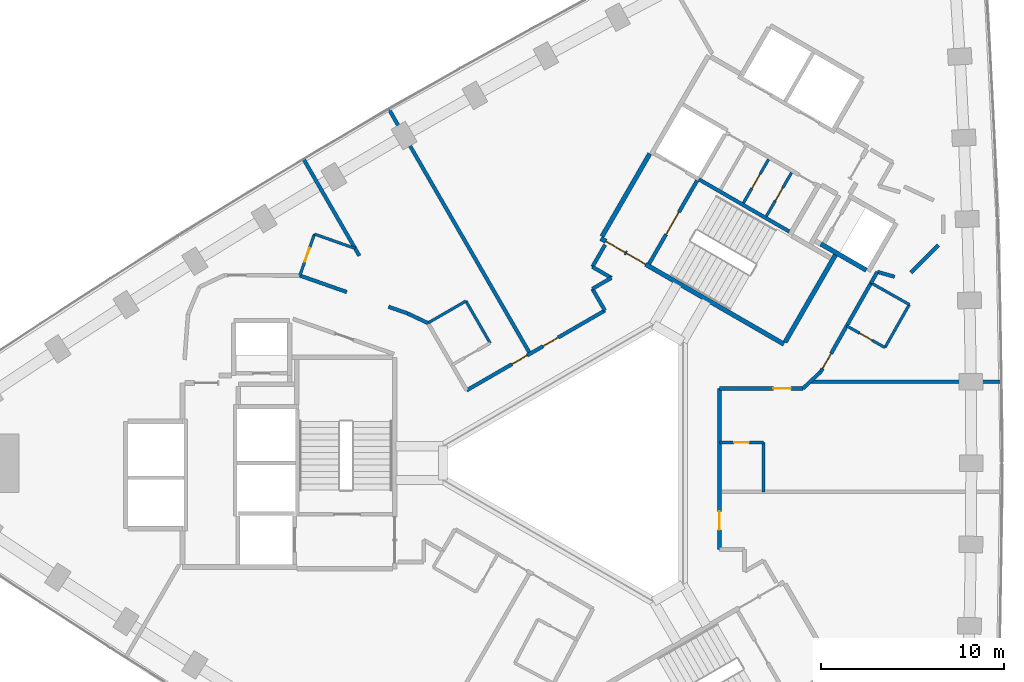
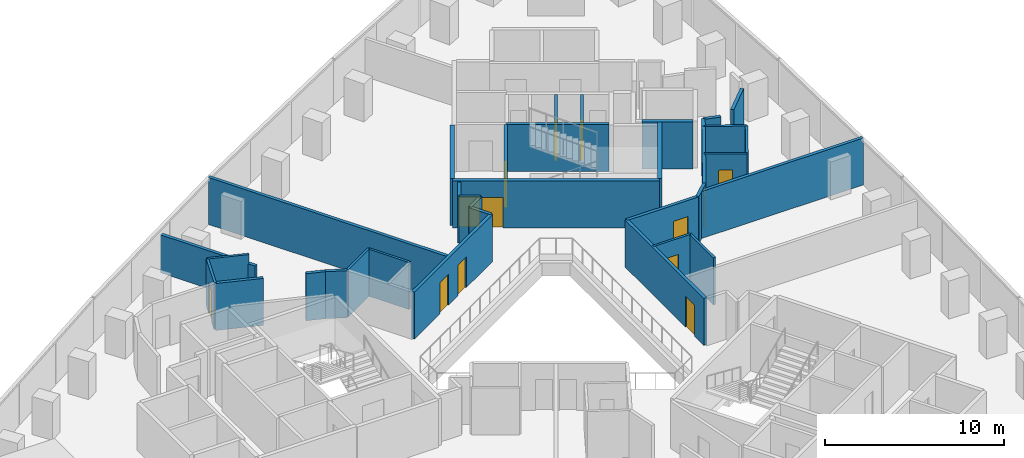
# One storey, part 10 of 12: 35 walls, 13 doors, 13 openings.
"""IFC4 building model written with IfcOpenShell, lengths in metres."""

from ifc_helpers import new_model, si_unit, direction, frame, frame_2d, origin, place, context, subcontext, project, spatial, rectangle, extrude, material, layer, layer_set, type_object, element, fill, save


model = new_model("IFC4")

# Units and contexts
model_context = context("Model", 3, precision=1e-05, world=origin(), true_north=direction((0.0, 1.0)))
body_context = subcontext(model_context, "Body", "Model", "MODEL_VIEW")
ifc_project = project(units=[si_unit("LENGTHUNIT", "METRE"), si_unit("AREAUNIT", "SQUARE_METRE"), si_unit("VOLUMEUNIT", "CUBIC_METRE"), si_unit("PLANEANGLEUNIT", "RADIAN"), si_unit("MASSUNIT", "GRAM", prefix="KILO")], contexts=[model_context])

# Site, building, storey
site_placement = place(None, origin())
site = spatial("IfcSite", under=ifc_project, at=site_placement, CompositionType="ELEMENT")
building_placement = place(site_placement, origin())
building = spatial("IfcBuilding", under=site, at=building_placement, Name="Tamra Quay Hotel Tower", CompositionType="ELEMENT")
storey_placement = place(building_placement, frame((0.0, 0.0, 115.39990234375)))
storey = spatial("IfcBuildingStorey", under=building, at=storey_placement, Name="L28", CompositionType="ELEMENT", Elevation=115.39990234375)

# Wall
ifc_material_1 = material(Name="Concrete M70", Category="concrete")
ifc_layer_1 = layer(ifc_material_1, 0.199951171875)
ifc_layer_set_1 = layer_set([ifc_layer_1], Name="Concrete M70 core wall 200")
wall_type_1 = type_object("IfcWallType", Name="Concrete M70 core wall 200", PredefinedType="SHEAR", material=ifc_layer_set_1)
wall_1_placement = place(storey_placement, frame((5.774658203125, 15.501953125, 0.0), z_axis=(0.0, 0.0, 1.0), x_axis=(0.866020080793, -0.500009219579, 0.0)))
element("IfcWall", 1, at=wall_1_placement, inside=storey, type_object=wall_type_1, Name="CW2", PredefinedType="SHEAR", context=body_context, shape_type="SweptSolid", body=[
    extrude(rectangle(XDim=5.69921875, YDim=0.199951171875, at=frame_2d((2.849609375, 0.0))), origin(), (0.0, 0.0, 1.0), 3.2001953125),
])

# Wall, opening, door
wall_2_placement = place(storey_placement, frame((3.056640625, 10.89453125, 0.0), z_axis=(0.0, 0.0, 1.0), x_axis=(0.499989418164, 0.866031513124, 0.0)))
wall_2 = element("IfcWall", 2, at=wall_2_placement, inside=storey, type_object=wall_type_1, Name="CW2", PredefinedType="SHEAR", context=body_context, shape_type="SweptSolid", body=[
    extrude(rectangle(XDim=5.2509765625, YDim=0.199951171875, at=frame_2d((2.62548828125, 0.0))), origin(), (0.0, 0.0, 1.0), 3.2001953125),
])
opening_1_placement = place(wall_2_placement, frame((1.84912109375, 0.0, 0.0)))
opening_1 = element("IfcOpeningElement", 3, at=opening_1_placement, cuts=wall_2, Name="Opening FD2", PredefinedType="OPENING", context=body_context, shape_type="SweptSolid", body=[
    extrude(rectangle(XDim=1.39990234375, YDim=2.10009765625, at=frame_2d((0.699951171875, 1.050048828125))), frame((0.0, 0.10986328125, 0.0), z_axis=(0.0, -1.0, 0.0), x_axis=(1.0, 0.0, 0.0)), (0.0, 0.0, 1.0), 0.219970703125),
])
ifc_material_2 = material(Name="Core door FD2 1400x2100 LH")
door_type_1 = type_object("IfcDoorType", Name="Core door FD2 1400x2100 LH", OperationType="NOTDEFINED", PredefinedType="DOOR", material=ifc_material_2)
door_1_placement = place(opening_1_placement, origin())
door_1 = element("IfcDoor", 4, at=door_1_placement, inside=storey, type_object=door_type_1, Name="FD2", OperationType="SINGLE_SWING_LEFT", OverallHeight=2.10009765625, OverallWidth=1.39990234375, PredefinedType="DOOR", context=body_context, shape_type="SweptSolid", body=[
    extrude(rectangle(XDim=1.39990234375, YDim=2.10009765625, at=frame_2d((0.699951171875, 1.050048828125))), frame((0.0, 0.02490234375, 0.0), z_axis=(0.0, -1.0, 0.0), x_axis=(1.0, 0.0, 0.0)), (0.0, 0.0, 1.0), 0.050048828125),
])
fill(opening_1, door_1)

# Wall, openings, doors
ifc_layer_2 = layer(ifc_material_1, 0.25)
ifc_layer_set_2 = layer_set([ifc_layer_2], Name="Concrete M70 core wall 250")
wall_type_2 = type_object("IfcWallType", Name="Concrete M70 core wall 250", PredefinedType="SHEAR", material=ifc_layer_set_2)
wall_3_placement = place(storey_placement, frame((10.419921875, 6.497802734375, 0.0), z_axis=(0.0, 0.0, 1.0), x_axis=(-0.866021906294, 0.500006057782, 0.0)))
wall_3 = element("IfcWall", 5, at=wall_3_placement, inside=storey, type_object=wall_type_2, Name="CW1", PredefinedType="SHEAR", context=body_context, shape_type="SweptSolid", body=[
    extrude(rectangle(XDim=11.550048828125, YDim=0.25, at=frame_2d((5.77490234375, 0.0))), origin(), (0.0, 0.0, 1.0), 3.2001953125),
])
opening_2_placement = place(wall_3_placement, frame((10.02490234375, 0.0, 0.0)))
opening_2 = element("IfcOpeningElement", 6, at=opening_2_placement, cuts=wall_3, Name="Opening FD1", PredefinedType="OPENING", context=body_context, shape_type="SweptSolid", body=[
    extrude(rectangle(XDim=1.199951171875, YDim=2.10009765625, at=frame_2d((0.60009765625, 1.050048828125))), frame((0.0, 0.135009765625, 0.0), z_axis=(0.0, -1.0, 0.0), x_axis=(1.0, 0.0, 0.0)), (0.0, 0.0, 1.0), 0.27001953125),
])
opening_3_placement = place(wall_3_placement, frame((8.724853515625, 0.0, 0.0)))
opening_3 = element("IfcOpeningElement", 7, at=opening_3_placement, cuts=wall_3, Name="Opening FD1", PredefinedType="OPENING", context=body_context, shape_type="SweptSolid", body=[
    extrude(rectangle(XDim=1.199951171875, YDim=2.10009765625, at=frame_2d((0.60009765625, 1.050048828125))), frame((0.0, 0.135009765625, 0.0), z_axis=(0.0, -1.0, 0.0), x_axis=(1.0, 0.0, 0.0)), (0.0, 0.0, 1.0), 0.27001953125),
])
ifc_material_3 = material(Name="Core door FD1 1200x2100 LH")
door_type_2 = type_object("IfcDoorType", Name="Core door FD1 1200x2100 LH", OperationType="NOTDEFINED", PredefinedType="DOOR", material=ifc_material_3)
door_2_placement = place(opening_2_placement, origin())
door_2 = element("IfcDoor", 8, at=door_2_placement, inside=storey, type_object=door_type_2, Name="FD1", OperationType="SINGLE_SWING_LEFT", OverallHeight=2.10009765625, OverallWidth=1.199951171875, PredefinedType="DOOR", context=body_context, shape_type="SweptSolid", body=[
    extrude(rectangle(XDim=1.199951171875, YDim=2.10009765625, at=frame_2d((0.60009765625, 1.050048828125))), frame((0.0, 0.02490234375, 0.0), z_axis=(0.0, -1.0, 0.0), x_axis=(1.0, 0.0, 0.0)), (0.0, 0.0, 1.0), 0.050048828125),
])
fill(opening_2, door_2)
ifc_material_4 = material(Name="Core door FD1 1200x2100 RH")
door_type_3 = type_object("IfcDoorType", Name="Core door FD1 1200x2100 RH", OperationType="NOTDEFINED", PredefinedType="DOOR", material=ifc_material_4)
door_3_placement = place(opening_3_placement, origin())
door_3 = element("IfcDoor", 9, at=door_3_placement, inside=storey, type_object=door_type_3, Name="FD1", OperationType="SINGLE_SWING_RIGHT", OverallHeight=2.10009765625, OverallWidth=1.199951171875, PredefinedType="DOOR", context=body_context, shape_type="SweptSolid", body=[
    extrude(rectangle(XDim=1.199951171875, YDim=2.10009765625, at=frame_2d((0.60009765625, 1.050048828125))), frame((0.0, 0.02490234375, 0.0), z_axis=(0.0, -1.0, 0.0), x_axis=(1.0, 0.0, 0.0)), (0.0, 0.0, 1.0), 0.050048828125),
])
fill(opening_3, door_3)

# Walls
wall_4_placement = place(storey_placement, frame((0.47998046875, 12.38134765625, 0.0), z_axis=(0.0, 0.0, 1.0), x_axis=(0.49999885962, 0.866026062182, 0.0)))
element("IfcWall", 10, at=wall_4_placement, inside=storey, type_object=wall_type_2, Name="CW1", PredefinedType="SHEAR", context=body_context, shape_type="SweptSolid", body=[
    extrude(rectangle(XDim=5.224609375, YDim=0.25, at=frame_2d((2.6123046875, 0.0))), origin(), (0.0, 0.0, 1.0), 3.2001953125),
])
wall_5_placement = place(storey_placement, frame((13.237548828125, 11.3779296875, 0.0), z_axis=(0.0, 0.0, 1.0), x_axis=(-0.500008851346, -0.866020293397, 0.0)))
element("IfcWall", 11, at=wall_5_placement, inside=storey, type_object=wall_type_2, Name="CW1", PredefinedType="SHEAR", context=body_context, shape_type="SweptSolid", body=[
    extrude(rectangle(XDim=5.509765625, YDim=0.25, at=frame_2d((2.7548828125, 0.0))), origin(), (0.0, 0.0, 1.0), 3.2001953125),
])
wall_6_placement = place(storey_placement, frame((14.91845703125, 10.540283203125, 0.0), z_axis=(0.0, 0.0, 1.0), x_axis=(-0.866063538972, 0.499933942099, 0.0)))
element("IfcWall", 12, at=wall_6_placement, inside=storey, type_object=wall_type_2, Name="CW1", PredefinedType="SHEAR", context=body_context, shape_type="SweptSolid", body=[
    extrude(rectangle(XDim=2.86474609375, YDim=0.25, at=frame_2d((1.432373046875, 0.0))), origin(), (0.0, 0.0, 1.0), 3.2001953125),
])

# Wall, opening, door
ifc_material_5 = material(Name="Blockwork", Category="masonry")
ifc_layer_3 = layer(ifc_material_5, 0.14990234375)
ifc_layer_set_3 = layer_set([ifc_layer_3], Name="Core partition block 150")
wall_type_3 = type_object("IfcWallType", Name="Core partition block 150", PredefinedType="PARTITIONING", material=ifc_layer_set_3)
wall_7_placement = place(storey_placement, frame((9.462158203125, 13.4892578125, 0.0), z_axis=(0.0, 0.0, 1.0), x_axis=(0.50002746344, 0.86600954718, 0.0)))
wall_7 = element("IfcWall", 13, at=wall_7_placement, inside=storey, type_object=wall_type_3, Name="CP1", PredefinedType="PARTITIONING", context=body_context, shape_type="SweptSolid", body=[
    extrude(rectangle(XDim=2.748291015625, YDim=0.14990234375, at=frame_2d((1.3740234375, 0.0))), origin(), (0.0, 0.0, 1.0), 3.2001953125),
])
opening_4_placement = place(wall_7_placement, frame((0.97412109375, 0.0, 0.0)))
opening_4 = element("IfcOpeningElement", 14, at=opening_4_placement, cuts=wall_7, Name="Opening D3", PredefinedType="OPENING", context=body_context, shape_type="SweptSolid", body=[
    extrude(rectangle(XDim=0.800048828125, YDim=2.10009765625, at=frame_2d((0.39990234375, 1.050048828125))), frame((0.0, 0.0849609375, 0.0), z_axis=(0.0, -1.0, 0.0), x_axis=(1.0, 0.0, 0.0)), (0.0, 0.0, 1.0), 0.169921875),
])
ifc_material_6 = material(Name="Core door D3 800x2100 LH")
door_type_4 = type_object("IfcDoorType", Name="Core door D3 800x2100 LH", OperationType="NOTDEFINED", PredefinedType="DOOR", material=ifc_material_6)
door_4_placement = place(opening_4_placement, origin())
door_4 = element("IfcDoor", 15, at=door_4_placement, inside=storey, type_object=door_type_4, Name="D3", OperationType="SINGLE_SWING_LEFT", OverallHeight=2.10009765625, OverallWidth=0.800048828125, PredefinedType="DOOR", context=body_context, shape_type="SweptSolid", body=[
    extrude(rectangle(XDim=0.800048828125, YDim=2.10009765625, at=frame_2d((0.39990234375, 1.050048828125))), frame((0.0, 0.02490234375, 0.0), z_axis=(0.0, -1.0, 0.0), x_axis=(1.0, 0.0, 0.0)), (0.0, 0.0, 1.0), 0.050048828125),
])
fill(opening_4, door_4)

wall_8_placement = place(storey_placement, frame((8.20654296875, 14.214111328125, 0.0), z_axis=(0.0, 0.0, 1.0), x_axis=(0.499922376475, 0.866070215109, 0.0)))
wall_8 = element("IfcWall", 16, at=wall_8_placement, inside=storey, type_object=wall_type_3, Name="CP1", PredefinedType="PARTITIONING", context=body_context, shape_type="SweptSolid", body=[
    extrude(rectangle(XDim=2.74853515625, YDim=0.14990234375, at=frame_2d((1.374267578125, 0.0))), origin(), (0.0, 0.0, 1.0), 3.2001953125),
])
opening_5_placement = place(wall_8_placement, frame((0.92431640625, 0.0, 0.0)))
opening_5 = element("IfcOpeningElement", 17, at=opening_5_placement, cuts=wall_8, Name="Opening D2", PredefinedType="OPENING", context=body_context, shape_type="SweptSolid", body=[
    extrude(rectangle(XDim=0.89990234375, YDim=2.10009765625, at=frame_2d((0.449951171875, 1.050048828125))), frame((0.0, 0.0849609375, 0.0), z_axis=(0.0, -1.0, 0.0), x_axis=(1.0, 0.0, 0.0)), (0.0, 0.0, 1.0), 0.169921875),
])
ifc_material_7 = material(Name="Core door D2 900x2100 RH")
door_type_5 = type_object("IfcDoorType", Name="Core door D2 900x2100 RH", OperationType="NOTDEFINED", PredefinedType="DOOR", material=ifc_material_7)
door_5_placement = place(opening_5_placement, origin())
door_5 = element("IfcDoor", 18, at=door_5_placement, inside=storey, type_object=door_type_5, Name="D2", OperationType="SINGLE_SWING_RIGHT", OverallHeight=2.10009765625, OverallWidth=0.89990234375, PredefinedType="DOOR", context=body_context, shape_type="SweptSolid", body=[
    extrude(rectangle(XDim=0.89990234375, YDim=2.10009765625, at=frame_2d((0.449951171875, 1.050048828125))), frame((0.0, 0.02490234375, 0.0), z_axis=(0.0, -1.0, 0.0), x_axis=(1.0, 0.0, 0.0)), (0.0, 0.0, 1.0), 0.050048828125),
])
fill(opening_5, door_5)

# Walls
ifc_material_8 = material(Name="Partition corridor wall")
ifc_layer_4 = layer(ifc_material_8, 0.199951171875)
ifc_layer_set_4 = layer_set([ifc_layer_4], Name="Partition corridor wall")
wall_type_4 = type_object("IfcWallType", Name="Partition corridor wall", PredefinedType="PARTITIONING", material=ifc_layer_set_4)
wall_9_placement = place(storey_placement, frame((-16.02587890625, 10.24755859375, 0.0), z_axis=(0.0, 0.0, 1.0), x_axis=(0.943265923184, -0.332038248039, 0.0)))
element("IfcWall", 19, at=wall_9_placement, inside=storey, type_object=wall_type_4, Name="W-C", PredefinedType="PARTITIONING", context=body_context, shape_type="SweptSolid", body=[
    extrude(rectangle(XDim=2.711669921875, YDim=0.199951171875, at=frame_2d((1.35595703125, 0.0))), origin(), (0.0, 0.0, 1.0), 3.2001953125),
])
wall_10_placement = place(storey_placement, frame((-11.179931640625, 8.5419921875, 0.0), z_axis=(0.0, 0.0, 1.0), x_axis=(0.943264734704, -0.332041624295, 0.0)))
element("IfcWall", 20, at=wall_10_placement, inside=storey, type_object=wall_type_4, Name="W-C", PredefinedType="PARTITIONING", context=body_context, shape_type="SweptSolid", body=[
    extrude(rectangle(XDim=1.09912109375, YDim=0.199951171875, at=frame_2d((0.549560546875, 0.0))), origin(), (0.0, 0.0, 1.0), 3.2001953125),
])
wall_11_placement = place(storey_placement, frame((-10.14306640625, 8.177001953125, 0.0), z_axis=(0.0, 0.0, 1.0), x_axis=(0.904033154172, -0.427462344726, 0.0)))
element("IfcWall", 21, at=wall_11_placement, inside=storey, type_object=wall_type_4, Name="W-C", PredefinedType="PARTITIONING", context=body_context, shape_type="SweptSolid", body=[
    extrude(rectangle(XDim=1.22802734375, YDim=0.199951171875, at=frame_2d((0.614013671875, 0.0))), origin(), (0.0, 0.0, 1.0), 3.2001953125),
])

# Wall, openings, doors
wall_12_placement = place(storey_placement, frame((-6.91064453125, 3.976318359375, 0.0), z_axis=(0.0, 0.0, 1.0), x_axis=(0.865981774652, 0.500075560261, 0.0)))
wall_12 = element("IfcWall", 22, at=wall_12_placement, inside=storey, type_object=wall_type_4, Name="W-C", PredefinedType="PARTITIONING", context=body_context, shape_type="SweptSolid", body=[
    extrude(rectangle(XDim=8.718017578125, YDim=0.199951171875, at=frame_2d((4.35888671875, 0.0))), origin(), (0.0, 0.0, 1.0), 3.2001953125),
])
opening_6_placement = place(wall_12_placement, frame((4.818115234375, 0.0, 0.0)))
opening_6 = element("IfcOpeningElement", 23, at=opening_6_placement, cuts=wall_12, Name="Opening L28-D006", PredefinedType="OPENING", context=body_context, shape_type="SweptSolid", body=[
    extrude(rectangle(XDim=0.949951171875, YDim=2.10009765625, at=frame_2d((0.47509765625, 1.050048828125))), frame((0.0, 0.10986328125, 0.0), z_axis=(0.0, -1.0, 0.0), x_axis=(1.0, 0.0, 0.0)), (0.0, 0.0, 1.0), 0.219970703125),
])
opening_7_placement = place(wall_12_placement, frame((2.85888671875, 0.0, 0.0)))
opening_7 = element("IfcOpeningElement", 24, at=opening_7_placement, cuts=wall_12, Name="Opening L28-D007", PredefinedType="OPENING", context=body_context, shape_type="SweptSolid", body=[
    extrude(rectangle(XDim=0.949951171875, YDim=2.10009765625, at=frame_2d((0.47509765625, 1.050048828125))), frame((0.0, 0.10986328125, 0.0), z_axis=(0.0, -1.0, 0.0), x_axis=(1.0, 0.0, 0.0)), (0.0, 0.0, 1.0), 0.219970703125),
])
ifc_material_9 = material(Name="Door guest room 950x2100")
door_type_6 = type_object("IfcDoorType", Name="Door guest room 950x2100", OperationType="NOTDEFINED", PredefinedType="DOOR", material=ifc_material_9)
door_6_placement = place(opening_6_placement, origin())
door_6 = element("IfcDoor", 25, at=door_6_placement, inside=storey, type_object=door_type_6, Name="L28-D006", OperationType="SINGLE_SWING_LEFT", OverallHeight=2.10009765625, OverallWidth=0.949951171875, PredefinedType="DOOR", context=body_context, shape_type="SweptSolid", body=[
    extrude(rectangle(XDim=0.949951171875, YDim=2.10009765625, at=frame_2d((0.47509765625, 1.050048828125))), frame((0.0, 0.02490234375, 0.0), z_axis=(0.0, -1.0, 0.0), x_axis=(1.0, 0.0, 0.0)), (0.0, 0.0, 1.0), 0.050048828125),
])
fill(opening_6, door_6)
door_7_placement = place(opening_7_placement, origin())
door_7 = element("IfcDoor", 26, at=door_7_placement, inside=storey, type_object=door_type_6, Name="L28-D007", OperationType="SINGLE_SWING_LEFT", OverallHeight=2.10009765625, OverallWidth=0.949951171875, PredefinedType="DOOR", context=body_context, shape_type="SweptSolid", body=[
    extrude(rectangle(XDim=0.949951171875, YDim=2.10009765625, at=frame_2d((0.47509765625, 1.050048828125))), frame((0.0, 0.02490234375, 0.0), z_axis=(0.0, -1.0, 0.0), x_axis=(1.0, 0.0, 0.0)), (0.0, 0.0, 1.0), 0.050048828125),
])
fill(opening_7, door_7)

# Walls
wall_13_placement = place(storey_placement, frame((-0.044921875, 9.52099609375, 0.0), z_axis=(0.0, 0.0, 1.0), x_axis=(0.499804837697, -0.866138051476, 0.0)))
element("IfcWall", 27, at=wall_13_placement, inside=storey, type_object=wall_type_4, Name="W-C", PredefinedType="PARTITIONING", context=body_context, shape_type="SweptSolid", body=[
    extrude(rectangle(XDim=1.3681640625, YDim=0.199951171875, at=frame_2d((0.68408203125, 0.0))), origin(), (0.0, 0.0, 1.0), 3.2001953125),
])
wall_14_placement = place(storey_placement, frame((-0.044921875, 9.52197265625, 0.0), z_axis=(0.0, 0.0, 1.0), x_axis=(0.86625675314, 0.499599076899, 0.0)))
element("IfcWall", 28, at=wall_14_placement, inside=storey, type_object=wall_type_4, Name="W-C", PredefinedType="PARTITIONING", context=body_context, shape_type="SweptSolid", body=[
    extrude(rectangle(XDim=1.19921875, YDim=0.199951171875, at=frame_2d((0.599609375, 0.0))), origin(), (0.0, 0.0, 1.0), 3.2001953125),
])
wall_15_placement = place(storey_placement, frame((-0.044921875, 10.721923828125, 0.0), z_axis=(0.0, 0.0, 1.0), x_axis=(0.500107785535, 0.865963164833, 0.0)))
element("IfcWall", 29, at=wall_15_placement, inside=storey, type_object=wall_type_4, Name="W-C", PredefinedType="PARTITIONING", context=body_context, shape_type="SweptSolid", body=[
    extrude(rectangle(XDim=1.389404296875, YDim=0.199951171875, at=frame_2d((0.69482421875, 0.0))), origin(), (0.0, 0.0, 1.0), 3.2001953125),
])
wall_16_placement = place(storey_placement, frame((-0.044921875, 10.720947265625, 0.0), z_axis=(0.0, 0.0, 1.0), x_axis=(0.865992388649, -0.500057179532, 0.0)))
element("IfcWall", 30, at=wall_16_placement, inside=storey, type_object=wall_type_4, Name="W-C", PredefinedType="PARTITIONING", context=body_context, shape_type="SweptSolid", body=[
    extrude(rectangle(XDim=1.199462890625, YDim=0.199951171875, at=frame_2d((0.599609375, 0.0))), origin(), (0.0, 0.0, 1.0), 3.2001953125),
])

# Wall, opening, door
wall_17_placement = place(storey_placement, frame((6.89990234375, -4.720947265625, 0.0), z_axis=(0.0, 0.0, 1.0), x_axis=(0.0, 1.0, 0.0)))
wall_17 = element("IfcWall", 31, at=wall_17_placement, inside=storey, type_object=wall_type_4, Name="W-C", PredefinedType="PARTITIONING", context=body_context, shape_type="SweptSolid", body=[
    extrude(rectangle(XDim=8.798828125, YDim=0.199951171875, at=frame_2d((4.3994140625, 0.0))), origin(), (0.0, 0.0, 1.0), 3.2001953125),
])
opening_8_placement = place(wall_17_placement, frame((1.080078125, 0.0, 0.0)))
opening_8 = element("IfcOpeningElement", 32, at=opening_8_placement, cuts=wall_17, Name="Opening L28-D001", PredefinedType="OPENING", context=body_context, shape_type="SweptSolid", body=[
    extrude(rectangle(XDim=1.0, YDim=2.10009765625, at=frame_2d((0.5, 1.050048828125))), frame((0.0, 0.10986328125, 0.0), z_axis=(0.0, -1.0, 0.0), x_axis=(1.0, 0.0, 0.0)), (0.0, 0.0, 1.0), 0.219970703125),
])
ifc_material_10 = material(Name="Door guest room 1000x2100")
door_type_7 = type_object("IfcDoorType", Name="Door guest room 1000x2100", OperationType="NOTDEFINED", PredefinedType="DOOR", material=ifc_material_10)
door_8_placement = place(opening_8_placement, frame((1.0, 0.0, 0.0), z_axis=(0.0, 0.0, 1.0), x_axis=(-1.0, 0.0, 0.0)))
door_8 = element("IfcDoor", 33, at=door_8_placement, inside=storey, type_object=door_type_7, Name="L28-D001", OperationType="SINGLE_SWING_LEFT", OverallHeight=2.10009765625, OverallWidth=1.0, PredefinedType="DOOR", context=body_context, shape_type="SweptSolid", body=[
    extrude(rectangle(XDim=1.0, YDim=2.10009765625, at=frame_2d((0.5, 1.050048828125))), frame((0.0, 0.02490234375, 0.0), z_axis=(0.0, -1.0, 0.0), x_axis=(1.0, 0.0, 0.0)), (0.0, 0.0, 1.0), 0.050048828125),
])
fill(opening_8, door_8)

wall_18_placement = place(storey_placement, frame((6.89990234375, 4.077880859375, 0.0), z_axis=(0.0, 0.0, 1.0), x_axis=(1.0, 0.0, 0.0)))
wall_18 = element("IfcWall", 34, at=wall_18_placement, inside=storey, type_object=wall_type_4, Name="W-C", PredefinedType="PARTITIONING", context=body_context, shape_type="SweptSolid", body=[
    extrude(rectangle(XDim=4.55810546875, YDim=0.199951171875, at=frame_2d((2.279052734375, 0.0))), origin(), (0.0, 0.0, 1.0), 3.2001953125),
])
opening_9_placement = place(wall_18_placement, frame((2.949951171875, 0.0, 0.0)))
opening_9 = element("IfcOpeningElement", 35, at=opening_9_placement, cuts=wall_18, Name="Opening L28-D002", PredefinedType="OPENING", context=body_context, shape_type="SweptSolid", body=[
    extrude(rectangle(XDim=0.949951171875, YDim=2.10009765625, at=frame_2d((0.47509765625, 1.050048828125))), frame((0.0, 0.10986328125, 0.0), z_axis=(0.0, -1.0, 0.0), x_axis=(1.0, 0.0, 0.0)), (0.0, 0.0, 1.0), 0.219970703125),
])
door_9_placement = place(opening_9_placement, frame((0.949951171875, 0.0, 0.0), z_axis=(0.0, 0.0, 1.0), x_axis=(-1.0, 0.0, 0.0)))
door_9 = element("IfcDoor", 36, at=door_9_placement, inside=storey, type_object=door_type_6, Name="L28-D002", OperationType="SINGLE_SWING_LEFT", OverallHeight=2.10009765625, OverallWidth=0.949951171875, PredefinedType="DOOR", context=body_context, shape_type="SweptSolid", body=[
    extrude(rectangle(XDim=0.949951171875, YDim=2.10009765625, at=frame_2d((0.47509765625, 1.050048828125))), frame((0.0, 0.02490234375, 0.0), z_axis=(0.0, -1.0, 0.0), x_axis=(1.0, 0.0, 0.0)), (0.0, 0.0, 1.0), 0.050048828125),
])
fill(opening_9, door_9)

# Wall
wall_19_placement = place(storey_placement, frame((11.4580078125, 4.077880859375, 0.0), z_axis=(0.0, 0.0, 1.0), x_axis=(0.73011257202, 0.683326885303, 0.0)))
element("IfcWall", 37, at=wall_19_placement, inside=storey, type_object=wall_type_4, Name="W-C", PredefinedType="PARTITIONING", context=body_context, shape_type="SweptSolid", body=[
    extrude(rectangle(XDim=1.3359375, YDim=0.199951171875, at=frame_2d((0.66796875, 0.0))), origin(), (0.0, 0.0, 1.0), 3.2001953125),
])

# Wall, opening, door
wall_20_placement = place(storey_placement, frame((12.43310546875, 4.991943359375, 0.0), z_axis=(0.0, 0.0, 1.0), x_axis=(0.492582612696, 0.870265689126, 0.0)))
wall_20 = element("IfcWall", 38, at=wall_20_placement, inside=storey, type_object=wall_type_4, Name="W-C", PredefinedType="PARTITIONING", context=body_context, shape_type="SweptSolid", body=[
    extrude(rectangle(XDim=5.58837890625, YDim=0.199951171875, at=frame_2d((2.794189453125, 0.0))), origin(), (0.0, 0.0, 1.0), 3.2001953125),
])
opening_10_placement = place(wall_20_placement, frame((0.199951171875, 0.0, 0.0)))
opening_10 = element("IfcOpeningElement", 39, at=opening_10_placement, cuts=wall_20, Name="Opening L28-D004", PredefinedType="OPENING", context=body_context, shape_type="SweptSolid", body=[
    extrude(rectangle(XDim=0.949951171875, YDim=2.10009765625, at=frame_2d((0.47509765625, 1.050048828125))), frame((0.0, 0.10986328125, 0.0), z_axis=(0.0, -1.0, 0.0), x_axis=(1.0, 0.0, 0.0)), (0.0, 0.0, 1.0), 0.219970703125),
])
door_10_placement = place(opening_10_placement, origin())
door_10 = element("IfcDoor", 40, at=door_10_placement, inside=storey, type_object=door_type_6, Name="L28-D004", OperationType="SINGLE_SWING_LEFT", OverallHeight=2.10009765625, OverallWidth=0.949951171875, PredefinedType="DOOR", context=body_context, shape_type="SweptSolid", body=[
    extrude(rectangle(XDim=0.949951171875, YDim=2.10009765625, at=frame_2d((0.47509765625, 1.050048828125))), frame((0.0, 0.02490234375, 0.0), z_axis=(0.0, -1.0, 0.0), x_axis=(1.0, 0.0, 0.0)), (0.0, 0.0, 1.0), 0.050048828125),
])
fill(opening_10, door_10)

# Walls
wall_21_placement = place(storey_placement, frame((15.174072265625, 9.833984375, 0.0), z_axis=(0.0, 0.0, 1.0), x_axis=(0.492968928412, 0.870046915758, 0.0)))
element("IfcWall", 41, at=wall_21_placement, inside=storey, type_object=wall_type_4, Name="W-C", PredefinedType="PARTITIONING", context=body_context, shape_type="SweptSolid", body=[
    extrude(rectangle(XDim=0.705810546875, YDim=0.199951171875, at=frame_2d((0.35302734375, 0.0))), origin(), (0.0, 0.0, 1.0), 3.2001953125),
])
wall_22_placement = place(storey_placement, frame((15.52197265625, 10.447998046875, 0.0), z_axis=(0.0, 0.0, 1.0), x_axis=(0.961673491185, -0.274197185164, 0.0)))
element("IfcWall", 42, at=wall_22_placement, inside=storey, type_object=wall_type_4, Name="W-C", PredefinedType="PARTITIONING", context=body_context, shape_type="SweptSolid", body=[
    extrude(rectangle(XDim=0.98486328125, YDim=0.199951171875, at=frame_2d((0.492431640625, 0.0))), origin(), (0.0, 0.0, 1.0), 3.2001953125),
])
wall_23_placement = place(storey_placement, frame((17.35205078125, 10.406982421875, 0.0), z_axis=(0.0, 0.0, 1.0), x_axis=(0.707106781187, 0.707106781187, 0.0)))
element("IfcWall", 43, at=wall_23_placement, inside=storey, type_object=wall_type_4, Name="W-C", PredefinedType="PARTITIONING", context=body_context, shape_type="SweptSolid", body=[
    extrude(rectangle(XDim=2.121337890625, YDim=0.199951171875, at=frame_2d((1.060546875, 0.0))), origin(), (0.0, 0.0, 1.0), 3.2001953125),
])

# Wall, opening, door
ifc_material_11 = material(Name="Partition en-suite wall")
ifc_layer_5 = layer(ifc_material_11, 0.14990234375)
ifc_layer_set_5 = layer_set([ifc_layer_5], Name="Partition en-suite wall")
wall_type_5 = type_object("IfcWallType", Name="Partition en-suite wall", PredefinedType="PARTITIONING", material=ifc_layer_set_5)
wall_24_placement = place(storey_placement, frame((-16.02587890625, 10.2490234375, 0.0), z_axis=(0.0, 0.0, 1.0), x_axis=(0.332425382463, 0.943129559018, 0.0)))
wall_24 = element("IfcWall", 44, at=wall_24_placement, inside=storey, type_object=wall_type_5, Name="W-E", PredefinedType="PARTITIONING", context=body_context, shape_type="SweptSolid", body=[
    extrude(rectangle(XDim=2.394287109375, YDim=0.14990234375, at=frame_2d((1.197265625, 0.0))), origin(), (0.0, 0.0, 1.0), 3.2001953125),
])
opening_11_placement = place(wall_24_placement, frame((0.798095703125, 0.0, 0.0)))
opening_11 = element("IfcOpeningElement", 45, at=opening_11_placement, cuts=wall_24, Name="Opening L28-D011", PredefinedType="OPENING", context=body_context, shape_type="SweptSolid", body=[
    extrude(rectangle(XDim=0.800048828125, YDim=2.10009765625, at=frame_2d((0.39990234375, 1.050048828125))), frame((0.0, 0.0849609375, 0.0), z_axis=(0.0, -1.0, 0.0), x_axis=(1.0, 0.0, 0.0)), (0.0, 0.0, 1.0), 0.169921875),
])
ifc_material_12 = material(Name="Door en-suite 800x2100")
door_type_8 = type_object("IfcDoorType", Name="Door en-suite 800x2100", OperationType="NOTDEFINED", PredefinedType="DOOR", material=ifc_material_12)
door_11_placement = place(opening_11_placement, origin())
door_11 = element("IfcDoor", 46, at=door_11_placement, inside=storey, type_object=door_type_8, Name="L28-D011", OperationType="SINGLE_SWING_LEFT", OverallHeight=2.10009765625, OverallWidth=0.800048828125, PredefinedType="DOOR", context=body_context, shape_type="SweptSolid", body=[
    extrude(rectangle(XDim=0.800048828125, YDim=2.10009765625, at=frame_2d((0.39990234375, 1.050048828125))), frame((0.0, 0.02490234375, 0.0), z_axis=(0.0, -1.0, 0.0), x_axis=(1.0, 0.0, 0.0)), (0.0, 0.0, 1.0), 0.050048828125),
])
fill(opening_11, door_11)

# Walls
wall_25_placement = place(storey_placement, frame((-15.22607421875, 12.510009765625, 0.0), z_axis=(0.0, 0.0, 1.0), x_axis=(0.94323350676, -0.332130323404, 0.0)))
element("IfcWall", 47, at=wall_25_placement, inside=storey, type_object=wall_type_5, Name="W-E", PredefinedType="PARTITIONING", context=body_context, shape_type="SweptSolid", body=[
    extrude(rectangle(XDim=2.3515625, YDim=0.14990234375, at=frame_2d((1.17578125, 0.0))), origin(), (0.0, 0.0, 1.0), 3.2001953125),
])
wall_26_placement = place(storey_placement, frame((-9.032958984375, 7.652099609375, 0.0), z_axis=(0.0, 0.0, 1.0), x_axis=(0.865973769406, 0.500089422704, 0.0)))
element("IfcWall", 48, at=wall_26_placement, inside=storey, type_object=wall_type_5, Name="W-E", PredefinedType="PARTITIONING", context=body_context, shape_type="SweptSolid", body=[
    extrude(rectangle(XDim=2.3994140625, YDim=0.14990234375, at=frame_2d((1.19970703125, 0.0))), origin(), (0.0, 0.0, 1.0), 3.2001953125),
])
wall_27_placement = place(storey_placement, frame((-6.955078125, 8.85205078125, 0.0), z_axis=(0.0, 0.0, 1.0), x_axis=(0.500122176955, -0.865954853395, 0.0)))
element("IfcWall", 49, at=wall_27_placement, inside=storey, type_object=wall_type_5, Name="W-E", PredefinedType="PARTITIONING", context=body_context, shape_type="SweptSolid", body=[
    extrude(rectangle(XDim=2.643310546875, YDim=0.14990234375, at=frame_2d((1.32177734375, 0.0))), origin(), (0.0, 0.0, 1.0), 3.2001953125),
])

# Wall, opening, door
wall_28_placement = place(storey_placement, frame((6.89990234375, 1.126953125, 0.0), z_axis=(0.0, 0.0, 1.0), x_axis=(1.0, 0.0, 0.0)))
wall_28 = element("IfcWall", 50, at=wall_28_placement, inside=storey, type_object=wall_type_5, Name="W-E", PredefinedType="PARTITIONING", context=body_context, shape_type="SweptSolid", body=[
    extrude(rectangle(XDim=2.400146484375, YDim=0.14990234375, at=frame_2d((1.2001953125, 0.0))), origin(), (0.0, 0.0, 1.0), 3.2001953125),
])
opening_12_placement = place(wall_28_placement, frame((0.800048828125, 0.0, 0.0)))
opening_12 = element("IfcOpeningElement", 51, at=opening_12_placement, cuts=wall_28, Name="Opening L28-D003", PredefinedType="OPENING", context=body_context, shape_type="SweptSolid", body=[
    extrude(rectangle(XDim=0.800048828125, YDim=2.10009765625, at=frame_2d((0.39990234375, 1.050048828125))), frame((0.0, 0.0849609375, 0.0), z_axis=(0.0, -1.0, 0.0), x_axis=(1.0, 0.0, 0.0)), (0.0, 0.0, 1.0), 0.169921875),
])
door_12_placement = place(opening_12_placement, origin())
door_12 = element("IfcDoor", 52, at=door_12_placement, inside=storey, type_object=door_type_8, Name="L28-D003", OperationType="SINGLE_SWING_LEFT", OverallHeight=2.10009765625, OverallWidth=0.800048828125, PredefinedType="DOOR", context=body_context, shape_type="SweptSolid", body=[
    extrude(rectangle(XDim=0.800048828125, YDim=2.10009765625, at=frame_2d((0.39990234375, 1.050048828125))), frame((0.0, 0.02490234375, 0.0), z_axis=(0.0, -1.0, 0.0), x_axis=(1.0, 0.0, 0.0)), (0.0, 0.0, 1.0), 0.050048828125),
])
fill(opening_12, door_12)

# Wall
wall_29_placement = place(storey_placement, frame((9.300048828125, -1.572998046875, 0.0), z_axis=(0.0, 0.0, 1.0), x_axis=(0.0, 1.0, 0.0)))
element("IfcWall", 53, at=wall_29_placement, inside=storey, type_object=wall_type_5, Name="W-E", PredefinedType="PARTITIONING", context=body_context, shape_type="SweptSolid", body=[
    extrude(rectangle(XDim=2.699951171875, YDim=0.14990234375, at=frame_2d((1.35009765625, 0.0))), origin(), (0.0, 0.0, 1.0), 3.2001953125),
])

# Wall, opening, door
wall_30_placement = place(storey_placement, frame((13.85107421875, 7.4951171875, 0.0), z_axis=(0.0, 0.0, 1.0), x_axis=(0.870179408867, -0.492735016397, 0.0)))
wall_30 = element("IfcWall", 54, at=wall_30_placement, inside=storey, type_object=wall_type_5, Name="W-E", PredefinedType="PARTITIONING", context=body_context, shape_type="SweptSolid", body=[
    extrude(rectangle(XDim=2.397216796875, YDim=0.14990234375, at=frame_2d((1.19873046875, 0.0))), origin(), (0.0, 0.0, 1.0), 3.2001953125),
])
opening_13_placement = place(wall_30_placement, frame((0.799072265625, 0.0, 0.0)))
opening_13 = element("IfcOpeningElement", 55, at=opening_13_placement, cuts=wall_30, Name="Opening L28-D005", PredefinedType="OPENING", context=body_context, shape_type="SweptSolid", body=[
    extrude(rectangle(XDim=0.800048828125, YDim=2.10009765625, at=frame_2d((0.39990234375, 1.050048828125))), frame((0.0, 0.0849609375, 0.0), z_axis=(0.0, -1.0, 0.0), x_axis=(1.0, 0.0, 0.0)), (0.0, 0.0, 1.0), 0.169921875),
])
door_13_placement = place(opening_13_placement, origin())
door_13 = element("IfcDoor", 56, at=door_13_placement, inside=storey, type_object=door_type_8, Name="L28-D005", OperationType="SINGLE_SWING_LEFT", OverallHeight=2.10009765625, OverallWidth=0.800048828125, PredefinedType="DOOR", context=body_context, shape_type="SweptSolid", body=[
    extrude(rectangle(XDim=0.800048828125, YDim=2.10009765625, at=frame_2d((0.39990234375, 1.050048828125))), frame((0.0, 0.02490234375, 0.0), z_axis=(0.0, -1.0, 0.0), x_axis=(1.0, 0.0, 0.0)), (0.0, 0.0, 1.0), 0.050048828125),
])
fill(opening_13, door_13)

# Walls
wall_31_placement = place(storey_placement, frame((15.18310546875, 9.842041015625, 0.0), z_axis=(0.0, 0.0, 1.0), x_axis=(0.870676919072, -0.491855367558, 0.0)))
element("IfcWall", 57, at=wall_31_placement, inside=storey, type_object=wall_type_5, Name="W-E", PredefinedType="PARTITIONING", context=body_context, shape_type="SweptSolid", body=[
    extrude(rectangle(XDim=2.39111328125, YDim=0.14990234375, at=frame_2d((1.195556640625, 0.0))), origin(), (0.0, 0.0, 1.0), 3.2001953125),
])
wall_32_placement = place(storey_placement, frame((15.94189453125, 6.31689453125, 0.0), z_axis=(0.0, 0.0, 1.0), x_axis=(0.492424628392, 0.87035509153, 0.0)))
element("IfcWall", 58, at=wall_32_placement, inside=storey, type_object=wall_type_5, Name="W-E", PredefinedType="PARTITIONING", context=body_context, shape_type="SweptSolid", body=[
    extrude(rectangle(XDim=2.693115234375, YDim=0.14990234375, at=frame_2d((1.3466796875, 0.0))), origin(), (0.0, 0.0, 1.0), 3.2001953125),
])
ifc_material_13 = material(Name="Partition party wall")
ifc_layer_6 = layer(ifc_material_13, 0.199951171875)
ifc_layer_set_6 = layer_set([ifc_layer_6], Name="Partition party wall")
wall_type_6 = type_object("IfcWallType", Name="Partition party wall", PredefinedType="PARTITIONING", material=ifc_layer_set_6)
wall_33_placement = place(storey_placement, frame((-15.8193359375, 16.600830078125, 0.0), z_axis=(0.0, 0.0, 1.0), x_axis=(0.499900464672, -0.866082862907, 0.0)))
element("IfcWall", 59, at=wall_33_placement, inside=storey, type_object=wall_type_6, Name="W-P", PredefinedType="PARTITIONING", context=body_context, shape_type="SweptSolid", body=[
    extrude(rectangle(XDim=6.094482421875, YDim=0.199951171875, at=frame_2d((3.04736328125, 0.0))), origin(), (0.0, 0.0, 1.0), 2.580078125),
])
wall_34_placement = place(storey_placement, frame((-11.163818359375, 19.336669921875, 0.0), z_axis=(0.0, 0.0, 1.0), x_axis=(0.499965874908, -0.866045105019, 0.0)))
element("IfcWall", 60, at=wall_34_placement, inside=storey, type_object=wall_type_6, Name="W-P", PredefinedType="PARTITIONING", context=body_context, shape_type="SweptSolid", body=[
    extrude(rectangle(XDim=15.4248046875, YDim=0.199951171875, at=frame_2d((7.71240234375, 0.0))), origin(), (0.0, 0.0, 1.0), 3.2001953125),
])
wall_35_placement = place(storey_placement, frame((11.84912109375, 4.445068359375, 0.0), z_axis=(0.0, 0.0, 1.0), x_axis=(1.0, 0.0, 0.0)))
element("IfcWall", 61, at=wall_35_placement, inside=storey, type_object=wall_type_6, Name="W-P", PredefinedType="PARTITIONING", context=body_context, shape_type="SweptSolid", body=[
    extrude(rectangle(XDim=10.453369140625, YDim=0.199951171875, at=frame_2d((5.2265625, 0.0))), origin(), (0.0, 0.0, 1.0), 3.2001953125),
])

save(model, "model.ifc")
